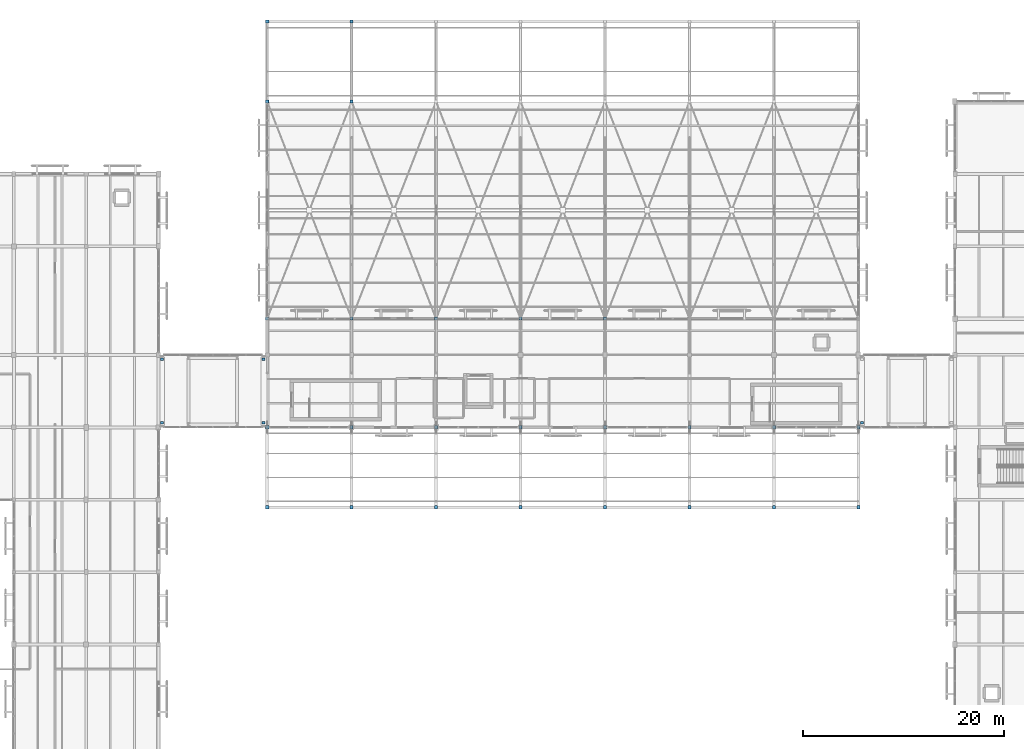
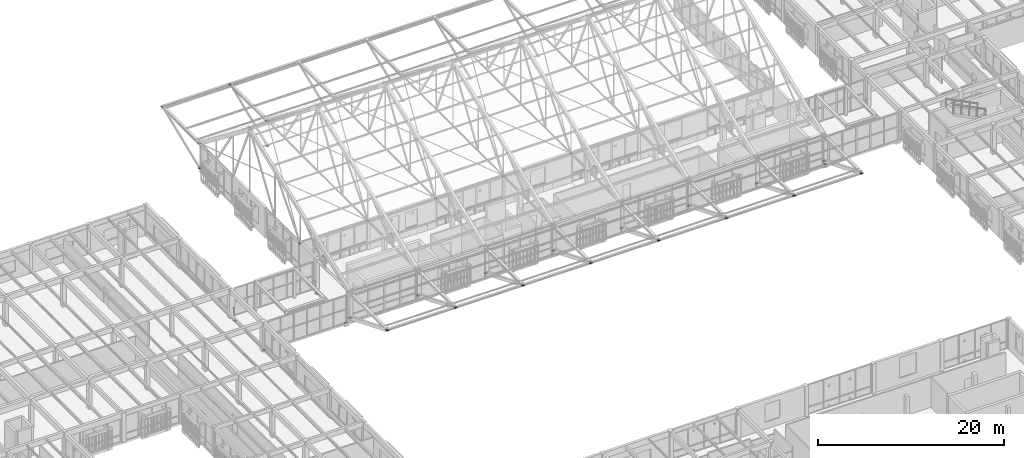
# One storey, part 194 of 217: 32 discrete accessories.
"""IFC4 building model written with IfcOpenShell, lengths in metres."""

from ifc_helpers import new_model, si_unit, direction, frame, origin, origin_2d, place, context, subcontext, project, spatial, rectangle, extrude, material, type_object, element, save


model = new_model("IFC4")

# Units and contexts
model_context = context("Model", 3, precision=1e-05, world=origin(), true_north=direction((0.0, 1.0)))
body_context = subcontext(model_context, "Body", "Model", "MODEL_VIEW")
ifc_project = project(units=[si_unit("LENGTHUNIT", "METRE"), si_unit("AREAUNIT", "SQUARE_METRE"), si_unit("VOLUMEUNIT", "CUBIC_METRE"), si_unit("PLANEANGLEUNIT", "RADIAN"), si_unit("MASSUNIT", "GRAM", prefix="KILO")], contexts=[model_context])

# Site, building, storey
site_placement = place(None, origin())
site = spatial("IfcSite", under=ifc_project, at=site_placement, CompositionType="ELEMENT")
building_placement = place(site_placement, origin())
building = spatial("IfcBuilding", under=site, at=building_placement, Name="Mazaris Harbour Polytechnic", CompositionType="ELEMENT")
storey_placement = place(building_placement, frame((0.0, 0.0, 9.60009765625)))
storey = spatial("IfcBuildingStorey", under=building, at=storey_placement, Name="L02", CompositionType="ELEMENT", Elevation=9.60009765625)

# Discrete accessories
ifc_material_1 = material(Name="Steel S355", Category="steel")
discrete_accessory_type_1 = type_object("IfcDiscreteAccessoryType", Name="PTFE Sliding Bridge Bearing 300x250x65 Exterior", PredefinedType="BRACKET", material=ifc_material_1)
for number, where, z_axis, x_axis, name in (
    (1, (43.550048828125, 76.050048828125, -0.330078125), (0.0, 0.0, 1.0), (1.0, 0.0, 0.0), "PB-W2 L02 PTFE Sliding Bearing W1"),
    (2, (43.550048828125, 82.35009765625, -0.330078125), (0.0, 0.0, 1.0), (1.0, 0.0, 0.0), "PB-W2 L02 PTFE Sliding Bearing W2"),
    (3, (53.64990234375, 76.050048828125, -0.330078125), (0.0, 0.0, 1.0), (1.0, 0.0, 0.0), "PB-W2 L02 PTFE Sliding Bearing E1"),
    (4, (53.64990234375, 82.35009765625, -0.330078125), (0.0, 0.0, 1.0), (1.0, 0.0, 0.0), "PB-W2 L02 PTFE Sliding Bearing E2"),
    (5, (113.14990234375, 76.050048828125, -0.330078125), (0.0, 0.0, 1.0), (1.0, 0.0, 0.0), "PB-E2 L02 PTFE Sliding Bearing W1"),
):
    element("IfcDiscreteAccessory", number, at=place(storey_placement, frame(where, z_axis=z_axis, x_axis=x_axis)), inside=storey, type_object=discrete_accessory_type_1, Name=name, PredefinedType="BRACKET", context=body_context, shape_type="SweptSolid", body=[
        extrude(rectangle(XDim=0.300048828125, YDim=0.25, at=origin_2d()), origin(), (0.0, 0.0, 1.0), 0.06494140625),
    ])
ifc_material_2 = material(Name="Steel S355", Category="steel")
discrete_accessory_type_2 = type_object("IfcDiscreteAccessoryType", Name="Steel Brace End Connection Plate 300x300x24", PredefinedType="BRACKET", material=ifc_material_2)
for number, where, z_axis, x_axis, name in (
    (6, (54.0, 86.39990234375, 3.738037109375), (0.0, 0.0, 1.0), (1.0, 0.0, 0.0), "Wind Brace End Connection Plate 1-1"),
    (7, (54.0, 108.0, 3.738037109375), (0.0, 0.0, 1.0), (1.0, 0.0, 0.0), "Wind Brace End Connection Plate 1-2"),
    (8, (62.39990234375, 86.39990234375, 3.738037109375), (0.0, 0.0, 1.0), (1.0, 0.0, 0.0), "Wind Brace End Connection Plate 2-1"),
    (9, (62.39990234375, 108.0, 3.738037109375), (0.0, 0.0, 1.0), (1.0, 0.0, 0.0), "Wind Brace End Connection Plate 2-2"),
    (10, (70.800048828125, 86.39990234375, 3.738037109375), (0.0, 0.0, 1.0), (1.0, 0.0, 0.0), "Wind Brace End Connection Plate 3-1"),
    (11, (79.199951171875, 86.39990234375, 3.738037109375), (0.0, 0.0, 1.0), (1.0, 0.0, 0.0), "Wind Brace End Connection Plate 4-1"),
    (12, (87.60009765625, 86.39990234375, 3.738037109375), (0.0, 0.0, 1.0), (1.0, 0.0, 0.0), "Wind Brace End Connection Plate 5-1"),
):
    element("IfcDiscreteAccessory", number, at=place(storey_placement, frame(where, z_axis=z_axis, x_axis=x_axis)), inside=storey, type_object=discrete_accessory_type_2, Name=name, PredefinedType="BRACKET", context=body_context, shape_type="SweptSolid", body=[
        extrude(rectangle(XDim=0.300048828125, YDim=0.300048828125, at=origin_2d()), origin(), (0.0, 0.0, 1.0), 0.02392578125),
    ])
ifc_material_3 = material(Name="Steel S355", Category="steel")
discrete_accessory_type_3 = type_object("IfcDiscreteAccessoryType", Name="Steel Brace End Connection Plate 320x320x24 Exterior", PredefinedType="BRACKET", material=ifc_material_3)
for number, where, z_axis, x_axis, name in (
    (13, (54.0, 75.60009765625, 0.488037109375), (0.0, 0.0, 1.0), (1.0, 0.0, 0.0), "Truss 1 Eave Strut End Plate 1"),
    (14, (54.0, 67.64990234375, 3.738037109375), (0.0, 0.0, 1.0), (1.0, 0.0, 0.0), "Truss 1 Eave Strut End Plate 2"),
    (15, (54.0, 108.0, 0.488037109375), (0.0, 0.0, 1.0), (1.0, 0.0, 0.0), "Truss 1 Eave Strut End Plate 3"),
    (16, (54.0, 115.949951171875, 3.738037109375), (0.0, 0.0, 1.0), (1.0, 0.0, 0.0), "Truss 1 Eave Strut End Plate 4"),
    (17, (62.39990234375, 75.60009765625, 0.488037109375), (0.0, 0.0, 1.0), (1.0, 0.0, 0.0), "Truss 2 Eave Strut End Plate 1"),
    (18, (62.39990234375, 67.64990234375, 3.738037109375), (0.0, 0.0, 1.0), (1.0, 0.0, 0.0), "Truss 2 Eave Strut End Plate 2"),
    (19, (62.39990234375, 108.0, 0.488037109375), (0.0, 0.0, 1.0), (1.0, 0.0, 0.0), "Truss 2 Eave Strut End Plate 3"),
    (20, (62.39990234375, 115.949951171875, 3.738037109375), (0.0, 0.0, 1.0), (1.0, 0.0, 0.0), "Truss 2 Eave Strut End Plate 4"),
    (21, (70.800048828125, 75.60009765625, 0.488037109375), (0.0, 0.0, 1.0), (1.0, 0.0, 0.0), "Truss 3 Eave Strut End Plate 1"),
    (22, (70.800048828125, 67.64990234375, 3.738037109375), (0.0, 0.0, 1.0), (1.0, 0.0, 0.0), "Truss 3 Eave Strut End Plate 2"),
    (23, (79.199951171875, 75.60009765625, 0.488037109375), (0.0, 0.0, 1.0), (1.0, 0.0, 0.0), "Truss 4 Eave Strut End Plate 1"),
    (24, (79.199951171875, 67.64990234375, 3.738037109375), (0.0, 0.0, 1.0), (1.0, 0.0, 0.0), "Truss 4 Eave Strut End Plate 2"),
    (25, (87.60009765625, 75.60009765625, 0.488037109375), (0.0, 0.0, 1.0), (1.0, 0.0, 0.0), "Truss 5 Eave Strut End Plate 1"),
    (26, (87.60009765625, 67.64990234375, 3.738037109375), (0.0, 0.0, 1.0), (1.0, 0.0, 0.0), "Truss 5 Eave Strut End Plate 2"),
    (27, (96.0, 75.60009765625, 0.488037109375), (0.0, 0.0, 1.0), (1.0, 0.0, 0.0), "Truss 6 Eave Strut End Plate 1"),
    (28, (96.0, 67.64990234375, 3.738037109375), (0.0, 0.0, 1.0), (1.0, 0.0, 0.0), "Truss 6 Eave Strut End Plate 2"),
    (29, (104.39990234375, 75.60009765625, 0.488037109375), (0.0, 0.0, 1.0), (1.0, 0.0, 0.0), "Truss 7 Eave Strut End Plate 1"),
    (30, (104.39990234375, 67.64990234375, 3.738037109375), (0.0, 0.0, 1.0), (1.0, 0.0, 0.0), "Truss 7 Eave Strut End Plate 2"),
    (31, (112.800048828125, 75.60009765625, 0.488037109375), (0.0, 0.0, 1.0), (1.0, 0.0, 0.0), "Truss 8 Eave Strut End Plate 1"),
    (32, (112.800048828125, 67.64990234375, 3.738037109375), (0.0, 0.0, 1.0), (1.0, 0.0, 0.0), "Truss 8 Eave Strut End Plate 2"),
):
    element("IfcDiscreteAccessory", number, at=place(storey_placement, frame(where, z_axis=z_axis, x_axis=x_axis)), inside=storey, type_object=discrete_accessory_type_3, Name=name, PredefinedType="BRACKET", context=body_context, shape_type="SweptSolid", body=[
        extrude(rectangle(XDim=0.320068359375, YDim=0.320068359375, at=origin_2d()), origin(), (0.0, 0.0, 1.0), 0.02392578125),
    ])

save(model, "model.ifc")
